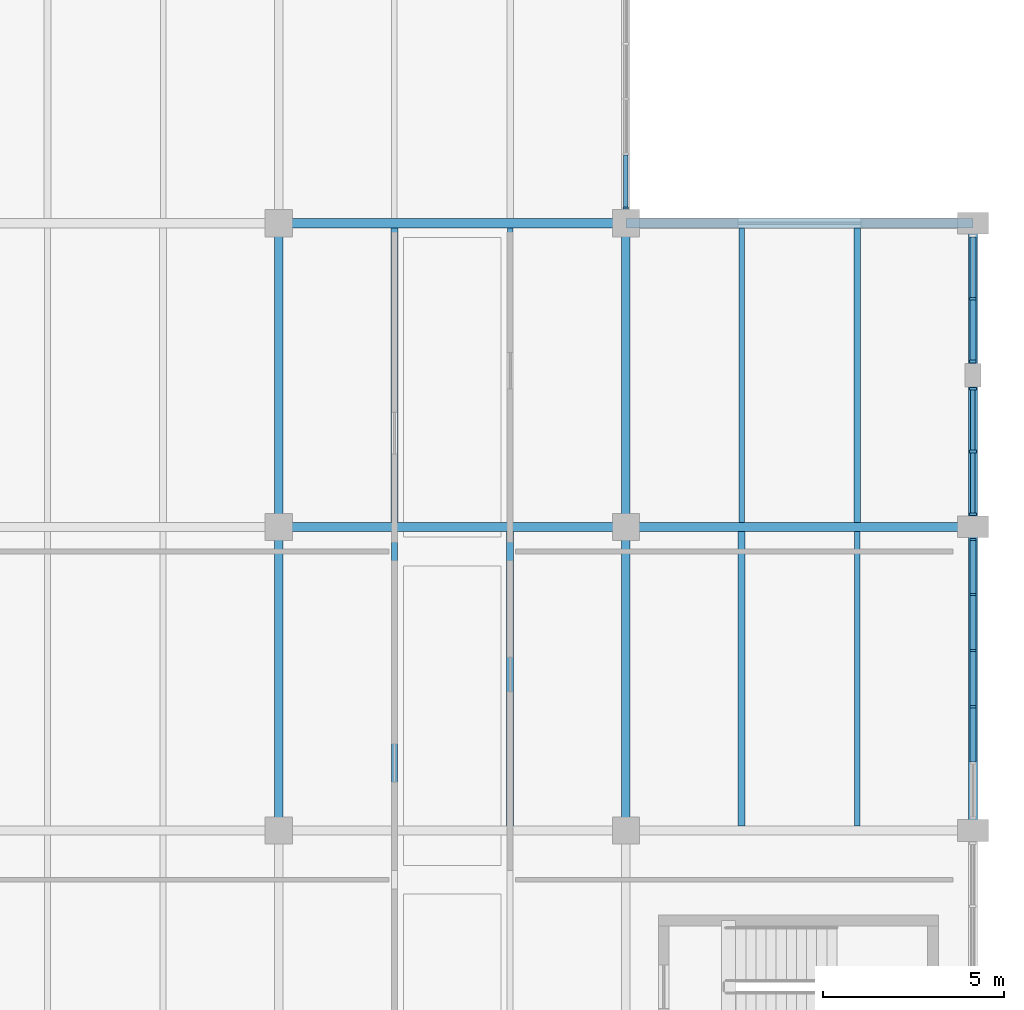
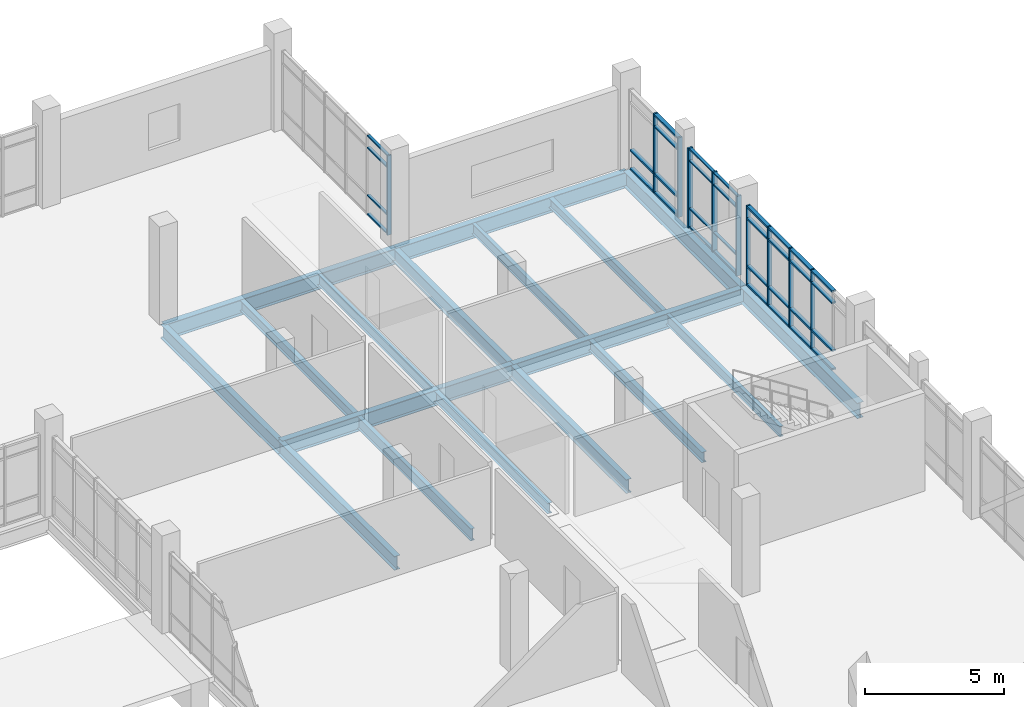
# One storey, part 31 of 86: 44 members, 18 beams, 4 elements without a shape of their own.
"""IFC4 building model written with IfcOpenShell, lengths in metres."""

from ifc_helpers import new_model, si_unit, direction, frame, origin, origin_2d, place, context, subcontext, project, spatial, rectangle, i_section, extrude, material, material_profile, profile_set, type_object, element, aggregate, save


model = new_model("IFC4")

# Units and contexts
model_context = context("Model", 3, precision=1e-05, world=origin(), true_north=direction((0.0, 1.0)))
body_context = subcontext(model_context, "Body", "Model", "MODEL_VIEW")
ifc_project = project(units=[si_unit("LENGTHUNIT", "METRE"), si_unit("AREAUNIT", "SQUARE_METRE"), si_unit("VOLUMEUNIT", "CUBIC_METRE"), si_unit("PLANEANGLEUNIT", "RADIAN"), si_unit("MASSUNIT", "GRAM", prefix="KILO")], contexts=[model_context])

# Site, building, storey
site_placement = place(None, origin())
site = spatial("IfcSite", under=ifc_project, at=site_placement, CompositionType="ELEMENT")
building_placement = place(site_placement, origin())
building = spatial("IfcBuilding", under=site, at=building_placement, Name="Oolite Switchyard Hospital", CompositionType="ELEMENT")
storey_placement = place(building_placement, frame((0.0, 0.0, 13.5)))
storey = spatial("IfcBuildingStorey", under=building, at=storey_placement, Name="L03", CompositionType="ELEMENT", Elevation=13.5)

# Beams
ifc_material_1 = material(Name="Steel ASTM A992 Grade 50", Category="steel")
ifc_material_profile_1 = material_profile(ifc_material_1, i_section(OverallWidth=0.179931640625, OverallDepth=0.4130859375, WebThickness=0.010009765625, FlangeThickness=0.01611328125, at=origin_2d()), Name="W16X50")
ifc_profile_set_1 = profile_set([ifc_material_profile_1], Name="Steel ASTM A992 Grade 50")
beam_type_1 = type_object("IfcBeamType", Name="BM-W16X50", PredefinedType="JOIST", material=ifc_profile_set_1)
beam_1_placement = place(storey_placement, frame((208.0, 58.927001953125, -0.48193359375), z_axis=(0.0, 1.0, 0.0), x_axis=(-1.0, 0.0, 0.0)))
element("IfcBeam", 1, at=beam_1_placement, inside=storey, type_object=beam_type_1, Name="L03 Secondary Steel Joist 2747", PredefinedType="JOIST", context=body_context, shape_type="SweptSolid", body=[
    extrude(i_section(OverallWidth=0.179931640625, OverallDepth=0.4130859375, WebThickness=0.010009765625, FlangeThickness=0.01611328125, at=origin_2d()), origin(), (0.0, 0.0, 1.0), 8.14599609375),
])
ifc_material_profile_2 = material_profile(ifc_material_1, i_section(OverallWidth=0.153076171875, OverallDepth=0.455078125, WebThickness=0.008056640625, FlangeThickness=0.012939453125, at=origin_2d()), Name="W18X40")
ifc_profile_set_2 = profile_set([ifc_material_profile_2], Name="Steel ASTM A992 Grade 50")
beam_type_2 = type_object("IfcBeamType", Name="BM-W18X40", PredefinedType="JOIST", material=ifc_profile_set_2)
for number, where, z_axis, x_axis, name in (
    (2, (198.39990234375, 58.927001953125, -0.501953125), (0.0, 1.0, 0.0), (-1.0, 0.0, 0.0), "L03 Secondary Steel Joist 2729"),
    (3, (208.0, 50.527099609375, -0.501953125), (0.0, 1.0, 0.0), (-1.0, 0.0, 0.0), "L03 Secondary Steel Joist 2745"),
    (4, (204.800048828125, 58.927001953125, -0.501953125), (0.0, 1.0, 0.0), (-1.0, 0.0, 0.0), "L03 Secondary Steel Joist 2746"),
):
    element("IfcBeam", number, at=place(storey_placement, frame(where, z_axis=z_axis, x_axis=x_axis)), inside=storey, type_object=beam_type_2, Name=name, PredefinedType="JOIST", context=body_context, shape_type="SweptSolid", body=[
        extrude(i_section(OverallWidth=0.153076171875, OverallDepth=0.455078125, WebThickness=0.008056640625, FlangeThickness=0.012939453125, at=origin_2d()), origin(), (0.0, 0.0, 1.0), 8.14599609375),
    ])
ifc_material_profile_3 = material_profile(ifc_material_1, i_section(OverallWidth=0.19091796875, OverallDepth=0.4599609375, WebThickness=0.010009765625, FlangeThickness=0.01611328125, at=origin_2d()), Name="W18X55")
ifc_profile_set_3 = profile_set([ifc_material_profile_3], Name="Steel ASTM A992 Grade 50")
beam_type_3 = type_object("IfcBeamType", Name="BM-W18X55", PredefinedType="JOIST", material=ifc_profile_set_3)
for number, where, z_axis, x_axis, name in (
    (5, (198.39990234375, 50.527099609375, -0.5048828125), (0.0, 1.0, 0.0), (-1.0, 0.0, 0.0), "L03 Secondary Steel Joist 2727"),
    (6, (195.199951171875, 58.927001953125, -0.5048828125), (0.0, 1.0, 0.0), (-1.0, 0.0, 0.0), "L03 Secondary Steel Joist 2728"),
    (7, (204.800048828125, 50.527099609375, -0.5048828125), (0.0, 1.0, 0.0), (-1.0, 0.0, 0.0), "L03 Secondary Steel Joist 2744"),
):
    element("IfcBeam", number, at=place(storey_placement, frame(where, z_axis=z_axis, x_axis=x_axis)), inside=storey, type_object=beam_type_3, Name=name, PredefinedType="JOIST", context=body_context, shape_type="SweptSolid", body=[
        extrude(i_section(OverallWidth=0.19091796875, OverallDepth=0.4599609375, WebThickness=0.010009765625, FlangeThickness=0.01611328125, at=origin_2d()), origin(), (0.0, 0.0, 1.0), 8.14599609375),
    ])
ifc_material_profile_4 = material_profile(ifc_material_1, i_section(OverallWidth=0.166015625, OverallDepth=0.529052734375, WebThickness=0.010009765625, FlangeThickness=0.013916015625, at=origin_2d()), Name="W21X50")
ifc_profile_set_4 = profile_set([ifc_material_profile_4], Name="Steel ASTM A992 Grade 50")
beam_type_4 = type_object("IfcBeamType", Name="BM-W21X50", PredefinedType="JOIST", material=ifc_profile_set_4)
beam_2_placement = place(storey_placement, frame((195.199951171875, 50.527099609375, -0.5400390625), z_axis=(0.0, 1.0, 0.0), x_axis=(-1.0, 0.0, 0.0)))
element("IfcBeam", 8, at=beam_2_placement, inside=storey, type_object=beam_type_4, Name="L03 Secondary Steel Joist 2726", PredefinedType="JOIST", context=body_context, shape_type="SweptSolid", body=[
    extrude(i_section(OverallWidth=0.166015625, OverallDepth=0.529052734375, WebThickness=0.010009765625, FlangeThickness=0.013916015625, at=origin_2d()), origin(), (0.0, 0.0, 1.0), 8.14599609375),
])
ifc_material_profile_5 = material_profile(ifc_material_1, i_section(OverallWidth=0.22900390625, OverallDepth=0.612060546875, WebThickness=0.011962890625, FlangeThickness=0.02001953125, at=origin_2d()), Name="W24X84")
ifc_profile_set_5 = profile_set([ifc_material_profile_5], Name="Steel ASTM A992 Grade 50")
beam_type_5 = type_object("IfcBeamType", Name="BM-W24X84", PredefinedType="BEAM", material=ifc_profile_set_5)
beam_3_placement = place(storey_placement, frame((192.0, 50.39990234375, -0.5810546875), z_axis=(0.0, 1.0, 0.0), x_axis=(-1.0, 0.0, 0.0)))
element("IfcBeam", 9, at=beam_3_placement, inside=storey, type_object=beam_type_5, Name="L03 Y-Girder 2365", PredefinedType="BEAM", context=body_context, shape_type="SweptSolid", body=[
    extrude(i_section(OverallWidth=0.22900390625, OverallDepth=0.612060546875, WebThickness=0.011962890625, FlangeThickness=0.02001953125, at=origin_2d()), origin(), (0.0, 0.0, 1.0), 8.400146484375),
])
beam_4_placement = place(storey_placement, frame((192.0, 58.800048828125, -0.5810546875), z_axis=(0.0, 1.0, 0.0), x_axis=(-1.0, 0.0, 0.0)))
element("IfcBeam", 10, at=beam_4_placement, inside=storey, type_object=beam_type_5, Name="L03 Y-Girder 2366", PredefinedType="BEAM", context=body_context, shape_type="SweptSolid", body=[
    extrude(i_section(OverallWidth=0.22900390625, OverallDepth=0.612060546875, WebThickness=0.011962890625, FlangeThickness=0.02001953125, at=origin_2d()), origin(), (0.0, 0.0, 1.0), 8.39990234375),
])
beam_5_placement = place(storey_placement, frame((201.60009765625, 50.39990234375, -0.5810546875), z_axis=(0.0, 1.0, 0.0), x_axis=(-1.0, 0.0, 0.0)))
element("IfcBeam", 11, at=beam_5_placement, inside=storey, type_object=beam_type_5, Name="L03 Y-Girder 2377", PredefinedType="BEAM", context=body_context, shape_type="SweptSolid", body=[
    extrude(i_section(OverallWidth=0.22900390625, OverallDepth=0.612060546875, WebThickness=0.011962890625, FlangeThickness=0.02001953125, at=origin_2d()), origin(), (0.0, 0.0, 1.0), 8.400146484375),
])
beam_6_placement = place(storey_placement, frame((201.60009765625, 58.800048828125, -0.5810546875), z_axis=(0.0, 1.0, 0.0), x_axis=(-1.0, 0.0, 0.0)))
element("IfcBeam", 12, at=beam_6_placement, inside=storey, type_object=beam_type_5, Name="L03 Y-Girder 2378", PredefinedType="BEAM", context=body_context, shape_type="SweptSolid", body=[
    extrude(i_section(OverallWidth=0.22900390625, OverallDepth=0.612060546875, WebThickness=0.011962890625, FlangeThickness=0.02001953125, at=origin_2d()), origin(), (0.0, 0.0, 1.0), 8.39990234375),
])
ifc_material_profile_6 = material_profile(ifc_material_1, i_section(OverallWidth=0.25390625, OverallDepth=0.68408203125, WebThickness=0.011962890625, FlangeThickness=0.01904296875, at=origin_2d()), Name="W27X94")
ifc_profile_set_6 = profile_set([ifc_material_profile_6], Name="Steel ASTM A992 Grade 50")
beam_type_6 = type_object("IfcBeamType", Name="BM-W27X94", PredefinedType="BEAM", material=ifc_profile_set_6)
beam_7_placement = place(storey_placement, frame((192.0, 58.800048828125, -0.616943359375), z_axis=(1.0, 0.0, 0.0), x_axis=(0.0, 1.0, 0.0)))
element("IfcBeam", 13, at=beam_7_placement, inside=storey, type_object=beam_type_6, Name="L03 X-Girder 2005", PredefinedType="BEAM", context=body_context, shape_type="SweptSolid", body=[
    extrude(i_section(OverallWidth=0.25390625, OverallDepth=0.68408203125, WebThickness=0.011962890625, FlangeThickness=0.01904296875, at=origin_2d()), origin(), (0.0, 0.0, 1.0), 9.60009765625),
])
beam_8_placement = place(storey_placement, frame((201.60009765625, 58.800048828125, -0.616943359375), z_axis=(1.0, 0.0, 0.0), x_axis=(0.0, 1.0, 0.0)))
element("IfcBeam", 14, at=beam_8_placement, inside=storey, type_object=beam_type_6, Name="L03 X-Girder 2006", PredefinedType="BEAM", context=body_context, shape_type="SweptSolid", body=[
    extrude(i_section(OverallWidth=0.25390625, OverallDepth=0.68408203125, WebThickness=0.011962890625, FlangeThickness=0.01904296875, at=origin_2d()), origin(), (0.0, 0.0, 1.0), 9.599853515625),
])
beam_9_placement = place(storey_placement, frame((192.0, 67.199951171875, -0.616943359375), z_axis=(1.0, 0.0, 0.0), x_axis=(0.0, 1.0, 0.0)))
element("IfcBeam", 15, at=beam_9_placement, inside=storey, type_object=beam_type_6, Name="L03 X-Girder 2021", PredefinedType="BEAM", context=body_context, shape_type="SweptSolid", body=[
    extrude(i_section(OverallWidth=0.25390625, OverallDepth=0.68408203125, WebThickness=0.011962890625, FlangeThickness=0.01904296875, at=origin_2d()), origin(), (0.0, 0.0, 1.0), 9.60009765625),
])
beam_10_placement = place(storey_placement, frame((201.60009765625, 67.199951171875, -0.616943359375), z_axis=(1.0, 0.0, 0.0), x_axis=(0.0, 1.0, 0.0)))
element("IfcBeam", 16, at=beam_10_placement, inside=storey, type_object=beam_type_6, Name="L03 X-Girder 2022", PredefinedType="BEAM", context=body_context, shape_type="SweptSolid", body=[
    extrude(i_section(OverallWidth=0.25390625, OverallDepth=0.68408203125, WebThickness=0.011962890625, FlangeThickness=0.01904296875, at=origin_2d()), origin(), (0.0, 0.0, 1.0), 9.599853515625),
])
beam_11_placement = place(storey_placement, frame((211.199951171875, 50.39990234375, -0.616943359375), z_axis=(0.0, 1.0, 0.0), x_axis=(-1.0, 0.0, 0.0)))
element("IfcBeam", 17, at=beam_11_placement, inside=storey, type_object=beam_type_6, Name="L03 Y-Girder 2388", PredefinedType="BEAM", context=body_context, shape_type="SweptSolid", body=[
    extrude(i_section(OverallWidth=0.25390625, OverallDepth=0.68408203125, WebThickness=0.011962890625, FlangeThickness=0.01904296875, at=origin_2d()), origin(), (0.0, 0.0, 1.0), 8.400146484375),
])
beam_12_placement = place(storey_placement, frame((211.199951171875, 58.800048828125, -0.616943359375), z_axis=(0.0, 1.0, 0.0), x_axis=(-1.0, 0.0, 0.0)))
element("IfcBeam", 18, at=beam_12_placement, inside=storey, type_object=beam_type_6, Name="L03 Y-Girder 2389", PredefinedType="BEAM", context=body_context, shape_type="SweptSolid", body=[
    extrude(i_section(OverallWidth=0.25390625, OverallDepth=0.68408203125, WebThickness=0.011962890625, FlangeThickness=0.01904296875, at=origin_2d()), origin(), (0.0, 0.0, 1.0), 8.39990234375),
])

# Curtain wall, member
ifc_material_2 = material(Name="Thermally broken aluminum frame with laminated impact glazing", Category="aluminium")
curtain_wall_type = type_object("IfcCurtainWallType", Name="CW-UNIT-84X43", PredefinedType="USERDEFINED", material=ifc_material_2)
curtain_wall_1_placement = place(storey_placement, origin())
curtain_wall_1 = element("IfcCurtainWall", 19, at=curtain_wall_1_placement, inside=storey, type_object=curtain_wall_type, Name="L03 Unitised Curtain Wall 348", ObjectType="UNITISED", PredefinedType="USERDEFINED")
ifc_material_3 = material(Name="Aluminium 6063-T6", Category="aluminium")
ifc_material_profile_7 = material_profile(ifc_material_3, rectangle(XDim=0.159912109375, YDim=0.06005859375, at=origin_2d()), Name="CWM60X160")
ifc_profile_set_7 = profile_set([ifc_material_profile_7], Name="Aluminium 6063-T6")
member_type_1 = type_object("IfcMemberType", Name="CW-MUL-180", PredefinedType="MULLION", material=ifc_profile_set_7)
member_1_placement = place(storey_placement, frame((201.60009765625, 67.6201171875, 0.0), z_axis=(0.0, 0.0, 1.0), x_axis=(1.0, 0.0, 0.0)))
member_1 = element("IfcMember", 20, at=member_1_placement, type_object=member_type_1, Name="CW-09 mullion 6", PredefinedType="MULLION", context=body_context, shape_type="SweptSolid", body=[
    extrude(rectangle(XDim=0.159912109375, YDim=0.06005859375, at=origin_2d()), origin(), (0.0, 0.0, 1.0), 3.489990234375),
])

# Curtain wall, members
curtain_wall_2_placement = place(storey_placement, origin())
curtain_wall_2 = element("IfcCurtainWall", 21, at=curtain_wall_2_placement, inside=storey, type_object=curtain_wall_type, Name="L03 Unitised Curtain Wall 351", ObjectType="UNITISED", PredefinedType="USERDEFINED")
member_2_placement = place(storey_placement, frame((211.199951171875, 58.455078125, 0.0), z_axis=(0.0, 0.0, 1.0), x_axis=(1.0, 0.0, 0.0)))
member_2 = element("IfcMember", 22, at=member_2_placement, type_object=member_type_1, Name="CW-09 mullion 1", PredefinedType="MULLION", context=body_context, shape_type="SweptSolid", body=[
    extrude(rectangle(XDim=0.159912109375, YDim=0.06005859375, at=origin_2d()), origin(), (0.0, 0.0, 1.0), 3.489990234375),
])
member_3_placement = place(storey_placement, frame((211.199951171875, 56.930908203125, 0.0), z_axis=(0.0, 0.0, 1.0), x_axis=(1.0, 0.0, 0.0)))
member_3 = element("IfcMember", 23, at=member_3_placement, type_object=member_type_1, Name="CW-09 mullion 2", PredefinedType="MULLION", context=body_context, shape_type="SweptSolid", body=[
    extrude(rectangle(XDim=0.159912109375, YDim=0.06005859375, at=origin_2d()), origin(), (0.0, 0.0, 1.0), 3.489990234375),
])
member_4_placement = place(storey_placement, frame((211.199951171875, 55.376953125, 0.0), z_axis=(0.0, 0.0, 1.0), x_axis=(1.0, 0.0, 0.0)))
member_4 = element("IfcMember", 24, at=member_4_placement, type_object=member_type_1, Name="CW-09 mullion 3", PredefinedType="MULLION", context=body_context, shape_type="SweptSolid", body=[
    extrude(rectangle(XDim=0.159912109375, YDim=0.06005859375, at=origin_2d()), origin(), (0.0, 0.0, 1.0), 3.489990234375),
])
member_5_placement = place(storey_placement, frame((211.199951171875, 53.822998046875, 0.0), z_axis=(0.0, 0.0, 1.0), x_axis=(1.0, 0.0, 0.0)))
member_5 = element("IfcMember", 25, at=member_5_placement, type_object=member_type_1, Name="CW-09 mullion 4", PredefinedType="MULLION", context=body_context, shape_type="SweptSolid", body=[
    extrude(rectangle(XDim=0.159912109375, YDim=0.06005859375, at=origin_2d()), origin(), (0.0, 0.0, 1.0), 3.489990234375),
])

curtain_wall_3_placement = place(storey_placement, origin())
curtain_wall_3 = element("IfcCurtainWall", 26, at=curtain_wall_3_placement, inside=storey, type_object=curtain_wall_type, Name="L03 Unitised Curtain Wall 349", ObjectType="UNITISED", PredefinedType="USERDEFINED")
ifc_material_profile_8 = material_profile(ifc_material_3, rectangle(XDim=0.179931640625, YDim=0.070068359375, at=origin_2d()), Name="CWM70X180")
ifc_profile_set_8 = profile_set([ifc_material_profile_8], Name="Aluminium 6063-T6")
member_type_2 = type_object("IfcMemberType", Name="CW-MUL-220", PredefinedType="MULLION", material=ifc_profile_set_8)
member_6_placement = place(storey_placement, frame((211.199951171875, 65.112548828125, 0.0), z_axis=(0.0, 0.0, 1.0), x_axis=(1.0, 0.0, 0.0)))
member_6 = element("IfcMember", 27, at=member_6_placement, type_object=member_type_2, Name="CW-09 mullion 2", PredefinedType="MULLION", context=body_context, shape_type="SweptSolid", body=[
    extrude(rectangle(XDim=0.179931640625, YDim=0.070068359375, at=origin_2d()), origin(), (0.0, 0.0, 1.0), 3.489990234375),
])
member_7_placement = place(storey_placement, frame((211.199951171875, 63.375, 0.0), z_axis=(0.0, 0.0, 1.0), x_axis=(1.0, 0.0, 0.0)))
member_7 = element("IfcMember", 28, at=member_7_placement, type_object=member_type_2, Name="CW-09 mullion 3", PredefinedType="MULLION", context=body_context, shape_type="SweptSolid", body=[
    extrude(rectangle(XDim=0.179931640625, YDim=0.070068359375, at=origin_2d()), origin(), (0.0, 0.0, 1.0), 3.489990234375),
])

curtain_wall_4_placement = place(storey_placement, origin())
curtain_wall_4 = element("IfcCurtainWall", 29, at=curtain_wall_4_placement, inside=storey, type_object=curtain_wall_type, Name="L03 Unitised Curtain Wall 350", ObjectType="UNITISED", PredefinedType="USERDEFINED")
ifc_material_profile_9 = material_profile(ifc_material_3, rectangle(XDim=0.199951171875, YDim=0.074951171875, at=origin_2d()), Name="CWM75X200")
ifc_profile_set_9 = profile_set([ifc_material_profile_9], Name="Aluminium 6063-T6")
member_type_3 = type_object("IfcMemberType", Name="CW-MUL-260", PredefinedType="MULLION", material=ifc_profile_set_9)
member_8_placement = place(storey_placement, frame((211.199951171875, 62.62255859375, 0.0), z_axis=(0.0, 0.0, 1.0), x_axis=(1.0, 0.0, 0.0)))
member_8 = element("IfcMember", 30, at=member_8_placement, type_object=member_type_3, Name="CW-09 mullion 1", PredefinedType="MULLION", context=body_context, shape_type="SweptSolid", body=[
    extrude(rectangle(XDim=0.199951171875, YDim=0.074951171875, at=origin_2d()), origin(), (0.0, 0.0, 1.0), 3.489990234375),
])
member_9_placement = place(storey_placement, frame((211.199951171875, 60.887451171875, 0.0), z_axis=(0.0, 0.0, 1.0), x_axis=(1.0, 0.0, 0.0)))
member_9 = element("IfcMember", 31, at=member_9_placement, type_object=member_type_3, Name="CW-09 mullion 2", PredefinedType="MULLION", context=body_context, shape_type="SweptSolid", body=[
    extrude(rectangle(XDim=0.199951171875, YDim=0.074951171875, at=origin_2d()), origin(), (0.0, 0.0, 1.0), 3.489990234375),
])
member_10_placement = place(storey_placement, frame((211.199951171875, 59.152587890625, 0.0), z_axis=(0.0, 0.0, 1.0), x_axis=(1.0, 0.0, 0.0)))
member_10 = element("IfcMember", 32, at=member_10_placement, type_object=member_type_3, Name="CW-09 mullion 3", PredefinedType="MULLION", context=body_context, shape_type="SweptSolid", body=[
    extrude(rectangle(XDim=0.199951171875, YDim=0.074951171875, at=origin_2d()), origin(), (0.0, 0.0, 1.0), 3.489990234375),
])

# Member
ifc_material_profile_10 = material_profile(ifc_material_3, rectangle(XDim=0.1201171875, YDim=0.06005859375, at=origin_2d()), Name="CWT60X120")
ifc_profile_set_10 = profile_set([ifc_material_profile_10], Name="Aluminium 6063-T6")
member_type_4 = type_object("IfcMemberType", Name="CW-TRN-150", PredefinedType="USERDEFINED", material=ifc_profile_set_10)
member_11_placement = place(storey_placement, frame((201.60009765625, 69.083984375, 0.030029296875), z_axis=(0.0, -1.0, 0.0), x_axis=(1.0, 0.0, 0.0)))
member_11 = element("IfcMember", 33, at=member_11_placement, type_object=member_type_4, Name="CW-09 transom 5.1", ObjectType="TRANSOM", PredefinedType="USERDEFINED", context=body_context, shape_type="SweptSolid", body=[
    extrude(rectangle(XDim=0.1201171875, YDim=0.06005859375, at=origin_2d()), origin(), (0.0, 0.0, 1.0), 1.43408203125),
])

member_12_placement = place(storey_placement, frame((201.60009765625, 69.083984375, 0.85009765625), z_axis=(0.0, -1.0, 0.0), x_axis=(1.0, 0.0, 0.0)))
member_12 = element("IfcMember", 34, at=member_12_placement, type_object=member_type_4, Name="CW-09 transom 5.2", ObjectType="TRANSOM", PredefinedType="USERDEFINED", context=body_context, shape_type="SweptSolid", body=[
    extrude(rectangle(XDim=0.1201171875, YDim=0.06005859375, at=origin_2d()), origin(), (0.0, 0.0, 1.0), 1.43408203125),
])

member_13_placement = place(storey_placement, frame((201.60009765625, 69.083984375, 2.93994140625), z_axis=(0.0, -1.0, 0.0), x_axis=(1.0, 0.0, 0.0)))
member_13 = element("IfcMember", 35, at=member_13_placement, type_object=member_type_4, Name="CW-09 transom 5.3", ObjectType="TRANSOM", PredefinedType="USERDEFINED", context=body_context, shape_type="SweptSolid", body=[
    extrude(rectangle(XDim=0.1201171875, YDim=0.06005859375, at=origin_2d()), origin(), (0.0, 0.0, 1.0), 1.43408203125),
])

member_14_placement = place(storey_placement, frame((201.60009765625, 69.083984375, 3.4599609375), z_axis=(0.0, -1.0, 0.0), x_axis=(1.0, 0.0, 0.0)))
member_14 = element("IfcMember", 36, at=member_14_placement, type_object=member_type_4, Name="CW-09 transom 5.4", ObjectType="TRANSOM", PredefinedType="USERDEFINED", context=body_context, shape_type="SweptSolid", body=[
    extrude(rectangle(XDim=0.1201171875, YDim=0.06005859375, at=origin_2d()), origin(), (0.0, 0.0, 1.0), 1.43408203125),
])

aggregate(curtain_wall_1, [member_1, member_11, member_12, member_13, member_14])

member_15_placement = place(storey_placement, frame((211.199951171875, 62.5849609375, 0.030029296875), z_axis=(0.0, -1.0, 0.0), x_axis=(1.0, 0.0, 0.0)))
member_15 = element("IfcMember", 37, at=member_15_placement, type_object=member_type_4, Name="CW-09 transom 1.1", ObjectType="TRANSOM", PredefinedType="USERDEFINED", context=body_context, shape_type="SweptSolid", body=[
    extrude(rectangle(XDim=0.1201171875, YDim=0.06005859375, at=origin_2d()), origin(), (0.0, 0.0, 1.0), 1.659912109375),
])

member_16_placement = place(storey_placement, frame((211.199951171875, 62.5849609375, 0.85009765625), z_axis=(0.0, -1.0, 0.0), x_axis=(1.0, 0.0, 0.0)))
member_16 = element("IfcMember", 38, at=member_16_placement, type_object=member_type_4, Name="CW-09 transom 1.2", ObjectType="TRANSOM", PredefinedType="USERDEFINED", context=body_context, shape_type="SweptSolid", body=[
    extrude(rectangle(XDim=0.1201171875, YDim=0.06005859375, at=origin_2d()), origin(), (0.0, 0.0, 1.0), 1.659912109375),
])

member_17_placement = place(storey_placement, frame((211.199951171875, 62.5849609375, 2.93994140625), z_axis=(0.0, -1.0, 0.0), x_axis=(1.0, 0.0, 0.0)))
member_17 = element("IfcMember", 39, at=member_17_placement, type_object=member_type_4, Name="CW-09 transom 1.3", ObjectType="TRANSOM", PredefinedType="USERDEFINED", context=body_context, shape_type="SweptSolid", body=[
    extrude(rectangle(XDim=0.1201171875, YDim=0.06005859375, at=origin_2d()), origin(), (0.0, 0.0, 1.0), 1.659912109375),
])

member_18_placement = place(storey_placement, frame((211.199951171875, 62.5849609375, 3.4599609375), z_axis=(0.0, -1.0, 0.0), x_axis=(1.0, 0.0, 0.0)))
member_18 = element("IfcMember", 40, at=member_18_placement, type_object=member_type_4, Name="CW-09 transom 1.4", ObjectType="TRANSOM", PredefinedType="USERDEFINED", context=body_context, shape_type="SweptSolid", body=[
    extrude(rectangle(XDim=0.1201171875, YDim=0.06005859375, at=origin_2d()), origin(), (0.0, 0.0, 1.0), 1.659912109375),
])

member_19_placement = place(storey_placement, frame((211.199951171875, 60.85009765625, 0.030029296875), z_axis=(0.0, -1.0, 0.0), x_axis=(1.0, 0.0, 0.0)))
member_19 = element("IfcMember", 41, at=member_19_placement, type_object=member_type_4, Name="CW-09 transom 2.1", ObjectType="TRANSOM", PredefinedType="USERDEFINED", context=body_context, shape_type="SweptSolid", body=[
    extrude(rectangle(XDim=0.1201171875, YDim=0.06005859375, at=origin_2d()), origin(), (0.0, 0.0, 1.0), 1.66015625),
])

member_20_placement = place(storey_placement, frame((211.199951171875, 60.85009765625, 0.85009765625), z_axis=(0.0, -1.0, 0.0), x_axis=(1.0, 0.0, 0.0)))
member_20 = element("IfcMember", 42, at=member_20_placement, type_object=member_type_4, Name="CW-09 transom 2.2", ObjectType="TRANSOM", PredefinedType="USERDEFINED", context=body_context, shape_type="SweptSolid", body=[
    extrude(rectangle(XDim=0.1201171875, YDim=0.06005859375, at=origin_2d()), origin(), (0.0, 0.0, 1.0), 1.66015625),
])

member_21_placement = place(storey_placement, frame((211.199951171875, 60.85009765625, 2.93994140625), z_axis=(0.0, -1.0, 0.0), x_axis=(1.0, 0.0, 0.0)))
member_21 = element("IfcMember", 43, at=member_21_placement, type_object=member_type_4, Name="CW-09 transom 2.3", ObjectType="TRANSOM", PredefinedType="USERDEFINED", context=body_context, shape_type="SweptSolid", body=[
    extrude(rectangle(XDim=0.1201171875, YDim=0.06005859375, at=origin_2d()), origin(), (0.0, 0.0, 1.0), 1.66015625),
])

member_22_placement = place(storey_placement, frame((211.199951171875, 60.85009765625, 3.4599609375), z_axis=(0.0, -1.0, 0.0), x_axis=(1.0, 0.0, 0.0)))
member_22 = element("IfcMember", 44, at=member_22_placement, type_object=member_type_4, Name="CW-09 transom 2.4", ObjectType="TRANSOM", PredefinedType="USERDEFINED", context=body_context, shape_type="SweptSolid", body=[
    extrude(rectangle(XDim=0.1201171875, YDim=0.06005859375, at=origin_2d()), origin(), (0.0, 0.0, 1.0), 1.66015625),
])

aggregate(curtain_wall_4, [member_8, member_9, member_10, member_15, member_16, member_17, member_18, member_19, member_20, member_21, member_22])

ifc_material_profile_11 = material_profile(ifc_material_3, rectangle(XDim=0.159912109375, YDim=0.074951171875, at=origin_2d()), Name="CWT75X160")
ifc_profile_set_11 = profile_set([ifc_material_profile_11], Name="Aluminium 6063-T6")
member_type_5 = type_object("IfcMemberType", Name="CW-TRN-180", PredefinedType="USERDEFINED", material=ifc_profile_set_11)
member_23_placement = place(storey_placement, frame((211.199951171875, 66.81494140625, 0.03759765625), z_axis=(0.0, -1.0, 0.0), x_axis=(1.0, 0.0, 0.0)))
member_23 = element("IfcMember", 45, at=member_23_placement, type_object=member_type_5, Name="CW-09 transom 1.1", ObjectType="TRANSOM", PredefinedType="USERDEFINED", context=body_context, shape_type="SweptSolid", body=[
    extrude(rectangle(XDim=0.159912109375, YDim=0.074951171875, at=origin_2d()), origin(), (0.0, 0.0, 1.0), 1.66748046875),
])

member_24_placement = place(storey_placement, frame((211.199951171875, 66.81494140625, 0.85009765625), z_axis=(0.0, -1.0, 0.0), x_axis=(1.0, 0.0, 0.0)))
member_24 = element("IfcMember", 46, at=member_24_placement, type_object=member_type_5, Name="CW-09 transom 1.2", ObjectType="TRANSOM", PredefinedType="USERDEFINED", context=body_context, shape_type="SweptSolid", body=[
    extrude(rectangle(XDim=0.159912109375, YDim=0.074951171875, at=origin_2d()), origin(), (0.0, 0.0, 1.0), 1.66748046875),
])

member_25_placement = place(storey_placement, frame((211.199951171875, 65.077392578125, 0.03759765625), z_axis=(0.0, -1.0, 0.0), x_axis=(1.0, 0.0, 0.0)))
member_25 = element("IfcMember", 47, at=member_25_placement, type_object=member_type_5, Name="CW-09 transom 2.1", ObjectType="TRANSOM", PredefinedType="USERDEFINED", context=body_context, shape_type="SweptSolid", body=[
    extrude(rectangle(XDim=0.159912109375, YDim=0.074951171875, at=origin_2d()), origin(), (0.0, 0.0, 1.0), 1.66748046875),
])

member_26_placement = place(storey_placement, frame((211.199951171875, 65.077392578125, 0.85009765625), z_axis=(0.0, -1.0, 0.0), x_axis=(1.0, 0.0, 0.0)))
member_26 = element("IfcMember", 48, at=member_26_placement, type_object=member_type_5, Name="CW-09 transom 2.2", ObjectType="TRANSOM", PredefinedType="USERDEFINED", context=body_context, shape_type="SweptSolid", body=[
    extrude(rectangle(XDim=0.159912109375, YDim=0.074951171875, at=origin_2d()), origin(), (0.0, 0.0, 1.0), 1.66748046875),
])

member_27_placement = place(storey_placement, frame((211.199951171875, 65.077392578125, 2.93994140625), z_axis=(0.0, -1.0, 0.0), x_axis=(1.0, 0.0, 0.0)))
member_27 = element("IfcMember", 49, at=member_27_placement, type_object=member_type_5, Name="CW-09 transom 2.3", ObjectType="TRANSOM", PredefinedType="USERDEFINED", context=body_context, shape_type="SweptSolid", body=[
    extrude(rectangle(XDim=0.159912109375, YDim=0.074951171875, at=origin_2d()), origin(), (0.0, 0.0, 1.0), 1.66748046875),
])

member_28_placement = place(storey_placement, frame((211.199951171875, 65.077392578125, 3.452392578125), z_axis=(0.0, -1.0, 0.0), x_axis=(1.0, 0.0, 0.0)))
member_28 = element("IfcMember", 50, at=member_28_placement, type_object=member_type_5, Name="CW-09 transom 2.4", ObjectType="TRANSOM", PredefinedType="USERDEFINED", context=body_context, shape_type="SweptSolid", body=[
    extrude(rectangle(XDim=0.159912109375, YDim=0.074951171875, at=origin_2d()), origin(), (0.0, 0.0, 1.0), 1.66748046875),
])

aggregate(curtain_wall_3, [member_6, member_7, member_23, member_24, member_25, member_26, member_27, member_28])

member_29_placement = place(storey_placement, frame((211.199951171875, 58.425048828125, 0.03759765625), z_axis=(0.0, -1.0, 0.0), x_axis=(1.0, 0.0, 0.0)))
member_29 = element("IfcMember", 51, at=member_29_placement, type_object=member_type_5, Name="CW-09 transom 1.1", ObjectType="TRANSOM", PredefinedType="USERDEFINED", context=body_context, shape_type="SweptSolid", body=[
    extrude(rectangle(XDim=0.159912109375, YDim=0.074951171875, at=origin_2d()), origin(), (0.0, 0.0, 1.0), 1.464111328125),
])

member_30_placement = place(storey_placement, frame((211.199951171875, 58.425048828125, 0.85009765625), z_axis=(0.0, -1.0, 0.0), x_axis=(1.0, 0.0, 0.0)))
member_30 = element("IfcMember", 52, at=member_30_placement, type_object=member_type_5, Name="CW-09 transom 1.2", ObjectType="TRANSOM", PredefinedType="USERDEFINED", context=body_context, shape_type="SweptSolid", body=[
    extrude(rectangle(XDim=0.159912109375, YDim=0.074951171875, at=origin_2d()), origin(), (0.0, 0.0, 1.0), 1.464111328125),
])

member_31_placement = place(storey_placement, frame((211.199951171875, 58.425048828125, 2.93994140625), z_axis=(0.0, -1.0, 0.0), x_axis=(1.0, 0.0, 0.0)))
member_31 = element("IfcMember", 53, at=member_31_placement, type_object=member_type_5, Name="CW-09 transom 1.3", ObjectType="TRANSOM", PredefinedType="USERDEFINED", context=body_context, shape_type="SweptSolid", body=[
    extrude(rectangle(XDim=0.159912109375, YDim=0.074951171875, at=origin_2d()), origin(), (0.0, 0.0, 1.0), 1.464111328125),
])

member_32_placement = place(storey_placement, frame((211.199951171875, 58.425048828125, 3.452392578125), z_axis=(0.0, -1.0, 0.0), x_axis=(1.0, 0.0, 0.0)))
member_32 = element("IfcMember", 54, at=member_32_placement, type_object=member_type_5, Name="CW-09 transom 1.4", ObjectType="TRANSOM", PredefinedType="USERDEFINED", context=body_context, shape_type="SweptSolid", body=[
    extrude(rectangle(XDim=0.159912109375, YDim=0.074951171875, at=origin_2d()), origin(), (0.0, 0.0, 1.0), 1.464111328125),
])

member_33_placement = place(storey_placement, frame((211.199951171875, 56.90087890625, 0.03759765625), z_axis=(0.0, -1.0, 0.0), x_axis=(1.0, 0.0, 0.0)))
member_33 = element("IfcMember", 55, at=member_33_placement, type_object=member_type_5, Name="CW-09 transom 2.1", ObjectType="TRANSOM", PredefinedType="USERDEFINED", context=body_context, shape_type="SweptSolid", body=[
    extrude(rectangle(XDim=0.159912109375, YDim=0.074951171875, at=origin_2d()), origin(), (0.0, 0.0, 1.0), 1.493896484375),
])

member_34_placement = place(storey_placement, frame((211.199951171875, 56.90087890625, 0.85009765625), z_axis=(0.0, -1.0, 0.0), x_axis=(1.0, 0.0, 0.0)))
member_34 = element("IfcMember", 56, at=member_34_placement, type_object=member_type_5, Name="CW-09 transom 2.2", ObjectType="TRANSOM", PredefinedType="USERDEFINED", context=body_context, shape_type="SweptSolid", body=[
    extrude(rectangle(XDim=0.159912109375, YDim=0.074951171875, at=origin_2d()), origin(), (0.0, 0.0, 1.0), 1.493896484375),
])

member_35_placement = place(storey_placement, frame((211.199951171875, 56.90087890625, 2.93994140625), z_axis=(0.0, -1.0, 0.0), x_axis=(1.0, 0.0, 0.0)))
member_35 = element("IfcMember", 57, at=member_35_placement, type_object=member_type_5, Name="CW-09 transom 2.3", ObjectType="TRANSOM", PredefinedType="USERDEFINED", context=body_context, shape_type="SweptSolid", body=[
    extrude(rectangle(XDim=0.159912109375, YDim=0.074951171875, at=origin_2d()), origin(), (0.0, 0.0, 1.0), 1.493896484375),
])

member_36_placement = place(storey_placement, frame((211.199951171875, 56.90087890625, 3.452392578125), z_axis=(0.0, -1.0, 0.0), x_axis=(1.0, 0.0, 0.0)))
member_36 = element("IfcMember", 58, at=member_36_placement, type_object=member_type_5, Name="CW-09 transom 2.4", ObjectType="TRANSOM", PredefinedType="USERDEFINED", context=body_context, shape_type="SweptSolid", body=[
    extrude(rectangle(XDim=0.159912109375, YDim=0.074951171875, at=origin_2d()), origin(), (0.0, 0.0, 1.0), 1.493896484375),
])

member_37_placement = place(storey_placement, frame((211.199951171875, 55.346923828125, 0.03759765625), z_axis=(0.0, -1.0, 0.0), x_axis=(1.0, 0.0, 0.0)))
member_37 = element("IfcMember", 59, at=member_37_placement, type_object=member_type_5, Name="CW-09 transom 3.1", ObjectType="TRANSOM", PredefinedType="USERDEFINED", context=body_context, shape_type="SweptSolid", body=[
    extrude(rectangle(XDim=0.159912109375, YDim=0.074951171875, at=origin_2d()), origin(), (0.0, 0.0, 1.0), 1.493896484375),
])

member_38_placement = place(storey_placement, frame((211.199951171875, 55.346923828125, 0.85009765625), z_axis=(0.0, -1.0, 0.0), x_axis=(1.0, 0.0, 0.0)))
member_38 = element("IfcMember", 60, at=member_38_placement, type_object=member_type_5, Name="CW-09 transom 3.2", ObjectType="TRANSOM", PredefinedType="USERDEFINED", context=body_context, shape_type="SweptSolid", body=[
    extrude(rectangle(XDim=0.159912109375, YDim=0.074951171875, at=origin_2d()), origin(), (0.0, 0.0, 1.0), 1.493896484375),
])

member_39_placement = place(storey_placement, frame((211.199951171875, 55.346923828125, 2.93994140625), z_axis=(0.0, -1.0, 0.0), x_axis=(1.0, 0.0, 0.0)))
member_39 = element("IfcMember", 61, at=member_39_placement, type_object=member_type_5, Name="CW-09 transom 3.3", ObjectType="TRANSOM", PredefinedType="USERDEFINED", context=body_context, shape_type="SweptSolid", body=[
    extrude(rectangle(XDim=0.159912109375, YDim=0.074951171875, at=origin_2d()), origin(), (0.0, 0.0, 1.0), 1.493896484375),
])

member_40_placement = place(storey_placement, frame((211.199951171875, 55.346923828125, 3.452392578125), z_axis=(0.0, -1.0, 0.0), x_axis=(1.0, 0.0, 0.0)))
member_40 = element("IfcMember", 62, at=member_40_placement, type_object=member_type_5, Name="CW-09 transom 3.4", ObjectType="TRANSOM", PredefinedType="USERDEFINED", context=body_context, shape_type="SweptSolid", body=[
    extrude(rectangle(XDim=0.159912109375, YDim=0.074951171875, at=origin_2d()), origin(), (0.0, 0.0, 1.0), 1.493896484375),
])

member_41_placement = place(storey_placement, frame((211.199951171875, 53.79296875, 0.03759765625), z_axis=(0.0, -1.0, 0.0), x_axis=(1.0, 0.0, 0.0)))
member_41 = element("IfcMember", 63, at=member_41_placement, type_object=member_type_5, Name="CW-09 transom 4.1", ObjectType="TRANSOM", PredefinedType="USERDEFINED", context=body_context, shape_type="SweptSolid", body=[
    extrude(rectangle(XDim=0.159912109375, YDim=0.074951171875, at=origin_2d()), origin(), (0.0, 0.0, 1.0), 1.493896484375),
])

member_42_placement = place(storey_placement, frame((211.199951171875, 53.79296875, 0.85009765625), z_axis=(0.0, -1.0, 0.0), x_axis=(1.0, 0.0, 0.0)))
member_42 = element("IfcMember", 64, at=member_42_placement, type_object=member_type_5, Name="CW-09 transom 4.2", ObjectType="TRANSOM", PredefinedType="USERDEFINED", context=body_context, shape_type="SweptSolid", body=[
    extrude(rectangle(XDim=0.159912109375, YDim=0.074951171875, at=origin_2d()), origin(), (0.0, 0.0, 1.0), 1.493896484375),
])

member_43_placement = place(storey_placement, frame((211.199951171875, 53.79296875, 2.93994140625), z_axis=(0.0, -1.0, 0.0), x_axis=(1.0, 0.0, 0.0)))
member_43 = element("IfcMember", 65, at=member_43_placement, type_object=member_type_5, Name="CW-09 transom 4.3", ObjectType="TRANSOM", PredefinedType="USERDEFINED", context=body_context, shape_type="SweptSolid", body=[
    extrude(rectangle(XDim=0.159912109375, YDim=0.074951171875, at=origin_2d()), origin(), (0.0, 0.0, 1.0), 1.493896484375),
])

member_44_placement = place(storey_placement, frame((211.199951171875, 53.79296875, 3.452392578125), z_axis=(0.0, -1.0, 0.0), x_axis=(1.0, 0.0, 0.0)))
member_44 = element("IfcMember", 66, at=member_44_placement, type_object=member_type_5, Name="CW-09 transom 4.4", ObjectType="TRANSOM", PredefinedType="USERDEFINED", context=body_context, shape_type="SweptSolid", body=[
    extrude(rectangle(XDim=0.159912109375, YDim=0.074951171875, at=origin_2d()), origin(), (0.0, 0.0, 1.0), 1.493896484375),
])

aggregate(curtain_wall_2, [member_2, member_3, member_4, member_5, member_29, member_30, member_31, member_32, member_33, member_34, member_35, member_36, member_37, member_38, member_39, member_40, member_41, member_42, member_43, member_44])

save(model, "model.ifc")
